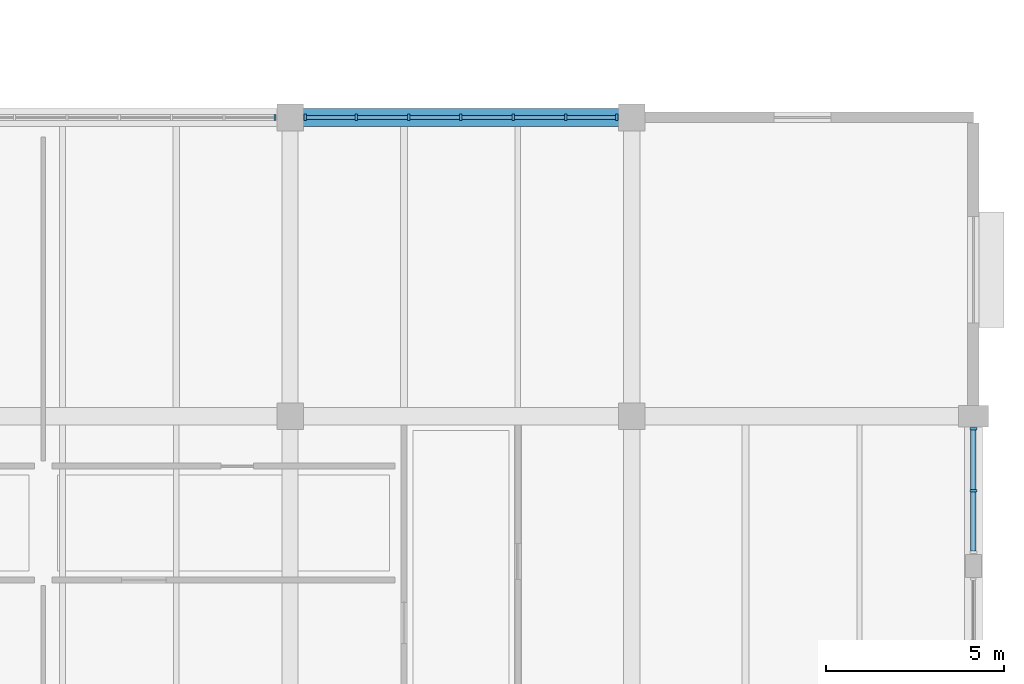
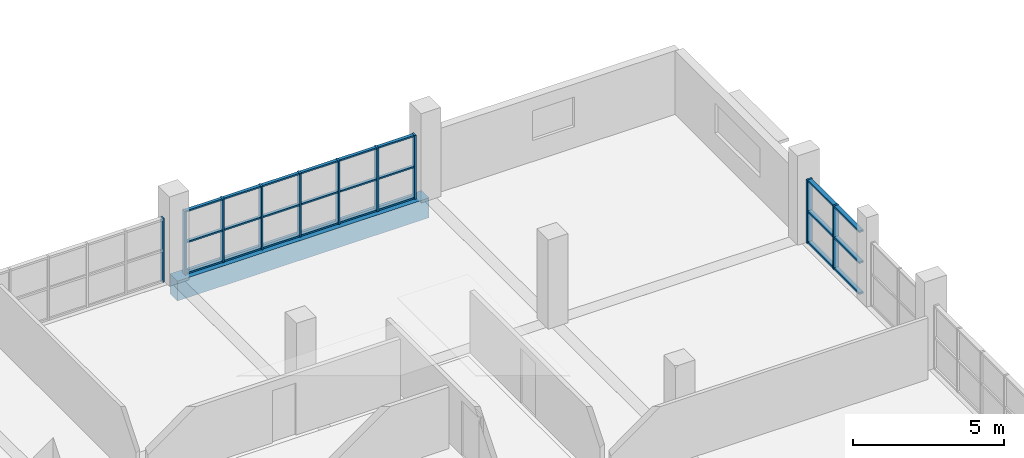
# One storey, part 82 of 147: 34 members, 1 beam, 3 elements without a shape of their own.
"""IFC4 building model written with IfcOpenShell, lengths in metres."""

from ifc_helpers import new_model, si_unit, direction, frame, origin, origin_2d, place, context, subcontext, project, spatial, rectangle, extrude, material, material_profile, profile_set, type_object, element, aggregate, save


model = new_model("IFC4")

# Units and contexts
model_context = context("Model", 3, precision=1e-05, world=origin(), true_north=direction((0.0, 1.0)))
body_context = subcontext(model_context, "Body", "Model", "MODEL_VIEW")
ifc_project = project(units=[si_unit("LENGTHUNIT", "METRE"), si_unit("AREAUNIT", "SQUARE_METRE"), si_unit("VOLUMEUNIT", "CUBIC_METRE"), si_unit("PLANEANGLEUNIT", "RADIAN"), si_unit("MASSUNIT", "GRAM", prefix="KILO")], contexts=[model_context])

# Site, building, storey
site_placement = place(None, origin())
site = spatial("IfcSite", under=ifc_project, at=site_placement, CompositionType="ELEMENT")
building_placement = place(site_placement, origin())
building = spatial("IfcBuilding", under=site, at=building_placement, Name="Oolite Switchyard Hospital", CompositionType="ELEMENT")
storey_placement = place(building_placement, frame((0.0, 0.0, 9.89990234375)))
storey = spatial("IfcBuildingStorey", under=building, at=storey_placement, Name="L02", CompositionType="ELEMENT", Elevation=9.89990234375)

# Beam
ifc_material_1 = material(Name="Concrete C40/50", Category="concrete")
ifc_material_profile_1 = material_profile(ifc_material_1, rectangle(XDim=0.5, YDim=0.800048828125, at=origin_2d()), Name="RCB500X800")
ifc_profile_set_1 = profile_set([ifc_material_profile_1], Name="Concrete C40/50")
beam_type = type_object("IfcBeamType", Name="BM-RC500X800", PredefinedType="BEAM", material=ifc_profile_set_1)
beam_placement = place(storey_placement, frame((192.0, 75.60009765625, -0.39990234375), z_axis=(1.0, 0.0, 0.0), x_axis=(0.0, 1.0, 0.0)))
element("IfcBeam", 1, at=beam_placement, inside=storey, type_object=beam_type, Name="L02 X-Girder 1124", PredefinedType="BEAM", context=body_context, shape_type="SweptSolid", body=[
    extrude(rectangle(XDim=0.5, YDim=0.800048828125, at=origin_2d()), origin(), (0.0, 0.0, 1.0), 9.60009765625),
])

# Curtain wall, member
ifc_material_2 = material(Name="Thermally broken aluminum frame with laminated impact glazing", Category="aluminium")
curtain_wall_type_1 = type_object("IfcCurtainWallType", Name="CW-UNIT-96X36", PredefinedType="USERDEFINED", material=ifc_material_2)
curtain_wall_1_placement = place(storey_placement, origin())
curtain_wall_1 = element("IfcCurtainWall", 2, at=curtain_wall_1_placement, inside=storey, type_object=curtain_wall_type_1, Name="L02 Unitised Curtain Wall 247", ObjectType="UNITISED", PredefinedType="USERDEFINED")
ifc_material_3 = material(Name="Aluminium 6063-T6", Category="aluminium")
ifc_material_profile_2 = material_profile(ifc_material_3, rectangle(XDim=0.159912109375, YDim=0.06005859375, at=origin_2d()), Name="CWM60X160")
ifc_profile_set_2 = profile_set([ifc_material_profile_2], Name="Aluminium 6063-T6")
member_type_1 = type_object("IfcMemberType", Name="CW-MUL-180", PredefinedType="MULLION", material=ifc_profile_set_2)
member_1_placement = place(storey_placement, frame((191.580078125, 75.60009765625, 0.0), z_axis=(0.0, 0.0, 1.0), x_axis=(0.0, 1.0, 0.0)))
member_1 = element("IfcMember", 3, at=member_1_placement, type_object=member_type_1, Name="CW-03 mullion 7", PredefinedType="MULLION", context=body_context, shape_type="SweptSolid", body=[
    extrude(rectangle(XDim=0.159912109375, YDim=0.06005859375, at=origin_2d()), origin(), (0.0, 0.0, 1.0), 2.570068359375),
])
aggregate(curtain_wall_1, [member_1])

# Curtain wall, members
curtain_wall_2_placement = place(storey_placement, origin())
curtain_wall_2 = element("IfcCurtainWall", 4, at=curtain_wall_2_placement, inside=storey, type_object=curtain_wall_type_1, Name="L02 Unitised Curtain Wall 248", ObjectType="UNITISED", PredefinedType="USERDEFINED")
ifc_material_profile_3 = material_profile(ifc_material_3, rectangle(XDim=0.179931640625, YDim=0.070068359375, at=origin_2d()), Name="CWM70X180")
ifc_profile_set_3 = profile_set([ifc_material_profile_3], Name="Aluminium 6063-T6")
member_type_2 = type_object("IfcMemberType", Name="CW-MUL-220", PredefinedType="MULLION", material=ifc_profile_set_3)
member_2_placement = place(storey_placement, frame((192.425048828125, 75.60009765625, 0.0), z_axis=(0.0, 0.0, 1.0), x_axis=(0.0, 1.0, 0.0)))
member_2 = element("IfcMember", 5, at=member_2_placement, type_object=member_type_2, Name="CW-03 mullion 1", PredefinedType="MULLION", context=body_context, shape_type="SweptSolid", body=[
    extrude(rectangle(XDim=0.179931640625, YDim=0.070068359375, at=origin_2d()), origin(), (0.0, 0.0, 1.0), 2.570068359375),
])
member_3_placement = place(storey_placement, frame((193.860107421875, 75.60009765625, 0.0), z_axis=(0.0, 0.0, 1.0), x_axis=(0.0, 1.0, 0.0)))
member_3 = element("IfcMember", 6, at=member_3_placement, type_object=member_type_2, Name="CW-03 mullion 2", PredefinedType="MULLION", context=body_context, shape_type="SweptSolid", body=[
    extrude(rectangle(XDim=0.179931640625, YDim=0.070068359375, at=origin_2d()), origin(), (0.0, 0.0, 1.0), 2.570068359375),
])
member_4_placement = place(storey_placement, frame((195.330078125, 75.60009765625, 0.0), z_axis=(0.0, 0.0, 1.0), x_axis=(0.0, 1.0, 0.0)))
member_4 = element("IfcMember", 7, at=member_4_placement, type_object=member_type_2, Name="CW-03 mullion 3", PredefinedType="MULLION", context=body_context, shape_type="SweptSolid", body=[
    extrude(rectangle(XDim=0.179931640625, YDim=0.070068359375, at=origin_2d()), origin(), (0.0, 0.0, 1.0), 2.570068359375),
])
member_5_placement = place(storey_placement, frame((196.800048828125, 75.60009765625, 0.0), z_axis=(0.0, 0.0, 1.0), x_axis=(0.0, 1.0, 0.0)))
member_5 = element("IfcMember", 8, at=member_5_placement, type_object=member_type_2, Name="CW-03 mullion 4", PredefinedType="MULLION", context=body_context, shape_type="SweptSolid", body=[
    extrude(rectangle(XDim=0.179931640625, YDim=0.070068359375, at=origin_2d()), origin(), (0.0, 0.0, 1.0), 2.570068359375),
])
member_6_placement = place(storey_placement, frame((198.27001953125, 75.60009765625, 0.0), z_axis=(0.0, 0.0, 1.0), x_axis=(0.0, 1.0, 0.0)))
member_6 = element("IfcMember", 9, at=member_6_placement, type_object=member_type_2, Name="CW-03 mullion 5", PredefinedType="MULLION", context=body_context, shape_type="SweptSolid", body=[
    extrude(rectangle(XDim=0.179931640625, YDim=0.070068359375, at=origin_2d()), origin(), (0.0, 0.0, 1.0), 2.570068359375),
])
member_7_placement = place(storey_placement, frame((199.739990234375, 75.60009765625, 0.0), z_axis=(0.0, 0.0, 1.0), x_axis=(0.0, 1.0, 0.0)))
member_7 = element("IfcMember", 10, at=member_7_placement, type_object=member_type_2, Name="CW-03 mullion 6", PredefinedType="MULLION", context=body_context, shape_type="SweptSolid", body=[
    extrude(rectangle(XDim=0.179931640625, YDim=0.070068359375, at=origin_2d()), origin(), (0.0, 0.0, 1.0), 2.570068359375),
])
member_8_placement = place(storey_placement, frame((201.175048828125, 75.60009765625, 0.0), z_axis=(0.0, 0.0, 1.0), x_axis=(0.0, 1.0, 0.0)))
member_8 = element("IfcMember", 11, at=member_8_placement, type_object=member_type_2, Name="CW-03 mullion 7", PredefinedType="MULLION", context=body_context, shape_type="SweptSolid", body=[
    extrude(rectangle(XDim=0.179931640625, YDim=0.070068359375, at=origin_2d()), origin(), (0.0, 0.0, 1.0), 2.570068359375),
])

curtain_wall_type_2 = type_object("IfcCurtainWallType", Name="CW-UNIT-84X36", PredefinedType="USERDEFINED", material=ifc_material_2)
curtain_wall_3_placement = place(storey_placement, origin())
curtain_wall_3 = element("IfcCurtainWall", 12, at=curtain_wall_3_placement, inside=storey, type_object=curtain_wall_type_2, Name="L02 Unitised Curtain Wall 315", ObjectType="UNITISED", PredefinedType="USERDEFINED")
ifc_material_profile_4 = material_profile(ifc_material_3, rectangle(XDim=0.199951171875, YDim=0.074951171875, at=origin_2d()), Name="CWM75X200")
ifc_profile_set_4 = profile_set([ifc_material_profile_4], Name="Aluminium 6063-T6")
member_type_3 = type_object("IfcMemberType", Name="CW-MUL-260", PredefinedType="MULLION", material=ifc_profile_set_4)
member_9_placement = place(storey_placement, frame((211.199951171875, 66.847412109375, 0.0), z_axis=(0.0, 0.0, 1.0), x_axis=(1.0, 0.0, 0.0)))
member_9 = element("IfcMember", 13, at=member_9_placement, type_object=member_type_3, Name="CW-08 mullion 1", PredefinedType="MULLION", context=body_context, shape_type="SweptSolid", body=[
    extrude(rectangle(XDim=0.199951171875, YDim=0.074951171875, at=origin_2d()), origin(), (0.0, 0.0, 1.0), 2.570068359375),
])
member_10_placement = place(storey_placement, frame((211.199951171875, 65.112548828125, 0.0), z_axis=(0.0, 0.0, 1.0), x_axis=(1.0, 0.0, 0.0)))
member_10 = element("IfcMember", 14, at=member_10_placement, type_object=member_type_3, Name="CW-08 mullion 2", PredefinedType="MULLION", context=body_context, shape_type="SweptSolid", body=[
    extrude(rectangle(XDim=0.199951171875, YDim=0.074951171875, at=origin_2d()), origin(), (0.0, 0.0, 1.0), 2.570068359375),
])

# Member
ifc_material_profile_5 = material_profile(ifc_material_3, rectangle(XDim=0.1201171875, YDim=0.06005859375, at=origin_2d()), Name="CWT60X120")
ifc_profile_set_5 = profile_set([ifc_material_profile_5], Name="Aluminium 6063-T6")
member_type_4 = type_object("IfcMemberType", Name="CW-TRN-150", PredefinedType="USERDEFINED", material=ifc_profile_set_5)
member_11_placement = place(storey_placement, frame((192.4599609375, 75.60009765625, 0.030029296875), z_axis=(1.0, 0.0, 0.0), x_axis=(0.0, 1.0, 0.0)))
member_11 = element("IfcMember", 15, at=member_11_placement, type_object=member_type_4, Name="CW-03 transom 1.1", ObjectType="TRANSOM", PredefinedType="USERDEFINED", context=body_context, shape_type="SweptSolid", body=[
    extrude(rectangle(XDim=0.1201171875, YDim=0.06005859375, at=origin_2d()), origin(), (0.0, 0.0, 1.0), 1.364990234375),
])

member_12_placement = place(storey_placement, frame((192.4599609375, 75.60009765625, 1.28515625), z_axis=(1.0, 0.0, 0.0), x_axis=(0.0, 1.0, 0.0)))
member_12 = element("IfcMember", 16, at=member_12_placement, type_object=member_type_4, Name="CW-03 transom 1.2", ObjectType="TRANSOM", PredefinedType="USERDEFINED", context=body_context, shape_type="SweptSolid", body=[
    extrude(rectangle(XDim=0.1201171875, YDim=0.06005859375, at=origin_2d()), origin(), (0.0, 0.0, 1.0), 1.364990234375),
])

member_13_placement = place(storey_placement, frame((192.4599609375, 75.60009765625, 2.5400390625), z_axis=(1.0, 0.0, 0.0), x_axis=(0.0, 1.0, 0.0)))
member_13 = element("IfcMember", 17, at=member_13_placement, type_object=member_type_4, Name="CW-03 transom 1.3", ObjectType="TRANSOM", PredefinedType="USERDEFINED", context=body_context, shape_type="SweptSolid", body=[
    extrude(rectangle(XDim=0.1201171875, YDim=0.06005859375, at=origin_2d()), origin(), (0.0, 0.0, 1.0), 1.364990234375),
])

member_14_placement = place(storey_placement, frame((193.89501953125, 75.60009765625, 0.030029296875), z_axis=(1.0, 0.0, 0.0), x_axis=(0.0, 1.0, 0.0)))
member_14 = element("IfcMember", 18, at=member_14_placement, type_object=member_type_4, Name="CW-03 transom 2.1", ObjectType="TRANSOM", PredefinedType="USERDEFINED", context=body_context, shape_type="SweptSolid", body=[
    extrude(rectangle(XDim=0.1201171875, YDim=0.06005859375, at=origin_2d()), origin(), (0.0, 0.0, 1.0), 1.39990234375),
])

member_15_placement = place(storey_placement, frame((193.89501953125, 75.60009765625, 1.28515625), z_axis=(1.0, 0.0, 0.0), x_axis=(0.0, 1.0, 0.0)))
member_15 = element("IfcMember", 19, at=member_15_placement, type_object=member_type_4, Name="CW-03 transom 2.2", ObjectType="TRANSOM", PredefinedType="USERDEFINED", context=body_context, shape_type="SweptSolid", body=[
    extrude(rectangle(XDim=0.1201171875, YDim=0.06005859375, at=origin_2d()), origin(), (0.0, 0.0, 1.0), 1.39990234375),
])

member_16_placement = place(storey_placement, frame((193.89501953125, 75.60009765625, 2.5400390625), z_axis=(1.0, 0.0, 0.0), x_axis=(0.0, 1.0, 0.0)))
member_16 = element("IfcMember", 20, at=member_16_placement, type_object=member_type_4, Name="CW-03 transom 2.3", ObjectType="TRANSOM", PredefinedType="USERDEFINED", context=body_context, shape_type="SweptSolid", body=[
    extrude(rectangle(XDim=0.1201171875, YDim=0.06005859375, at=origin_2d()), origin(), (0.0, 0.0, 1.0), 1.39990234375),
])

member_17_placement = place(storey_placement, frame((195.364990234375, 75.60009765625, 0.030029296875), z_axis=(1.0, 0.0, 0.0), x_axis=(0.0, 1.0, 0.0)))
member_17 = element("IfcMember", 21, at=member_17_placement, type_object=member_type_4, Name="CW-03 transom 3.1", ObjectType="TRANSOM", PredefinedType="USERDEFINED", context=body_context, shape_type="SweptSolid", body=[
    extrude(rectangle(XDim=0.1201171875, YDim=0.06005859375, at=origin_2d()), origin(), (0.0, 0.0, 1.0), 1.39990234375),
])

member_18_placement = place(storey_placement, frame((195.364990234375, 75.60009765625, 1.28515625), z_axis=(1.0, 0.0, 0.0), x_axis=(0.0, 1.0, 0.0)))
member_18 = element("IfcMember", 22, at=member_18_placement, type_object=member_type_4, Name="CW-03 transom 3.2", ObjectType="TRANSOM", PredefinedType="USERDEFINED", context=body_context, shape_type="SweptSolid", body=[
    extrude(rectangle(XDim=0.1201171875, YDim=0.06005859375, at=origin_2d()), origin(), (0.0, 0.0, 1.0), 1.39990234375),
])

member_19_placement = place(storey_placement, frame((195.364990234375, 75.60009765625, 2.5400390625), z_axis=(1.0, 0.0, 0.0), x_axis=(0.0, 1.0, 0.0)))
member_19 = element("IfcMember", 23, at=member_19_placement, type_object=member_type_4, Name="CW-03 transom 3.3", ObjectType="TRANSOM", PredefinedType="USERDEFINED", context=body_context, shape_type="SweptSolid", body=[
    extrude(rectangle(XDim=0.1201171875, YDim=0.06005859375, at=origin_2d()), origin(), (0.0, 0.0, 1.0), 1.39990234375),
])

member_20_placement = place(storey_placement, frame((196.8349609375, 75.60009765625, 0.030029296875), z_axis=(1.0, 0.0, 0.0), x_axis=(0.0, 1.0, 0.0)))
member_20 = element("IfcMember", 24, at=member_20_placement, type_object=member_type_4, Name="CW-03 transom 4.1", ObjectType="TRANSOM", PredefinedType="USERDEFINED", context=body_context, shape_type="SweptSolid", body=[
    extrude(rectangle(XDim=0.1201171875, YDim=0.06005859375, at=origin_2d()), origin(), (0.0, 0.0, 1.0), 1.400146484375),
])

member_21_placement = place(storey_placement, frame((196.8349609375, 75.60009765625, 1.28515625), z_axis=(1.0, 0.0, 0.0), x_axis=(0.0, 1.0, 0.0)))
member_21 = element("IfcMember", 25, at=member_21_placement, type_object=member_type_4, Name="CW-03 transom 4.2", ObjectType="TRANSOM", PredefinedType="USERDEFINED", context=body_context, shape_type="SweptSolid", body=[
    extrude(rectangle(XDim=0.1201171875, YDim=0.06005859375, at=origin_2d()), origin(), (0.0, 0.0, 1.0), 1.400146484375),
])

member_22_placement = place(storey_placement, frame((196.8349609375, 75.60009765625, 2.5400390625), z_axis=(1.0, 0.0, 0.0), x_axis=(0.0, 1.0, 0.0)))
member_22 = element("IfcMember", 26, at=member_22_placement, type_object=member_type_4, Name="CW-03 transom 4.3", ObjectType="TRANSOM", PredefinedType="USERDEFINED", context=body_context, shape_type="SweptSolid", body=[
    extrude(rectangle(XDim=0.1201171875, YDim=0.06005859375, at=origin_2d()), origin(), (0.0, 0.0, 1.0), 1.400146484375),
])

member_23_placement = place(storey_placement, frame((198.304931640625, 75.60009765625, 0.030029296875), z_axis=(1.0, 0.0, 0.0), x_axis=(0.0, 1.0, 0.0)))
member_23 = element("IfcMember", 27, at=member_23_placement, type_object=member_type_4, Name="CW-03 transom 5.1", ObjectType="TRANSOM", PredefinedType="USERDEFINED", context=body_context, shape_type="SweptSolid", body=[
    extrude(rectangle(XDim=0.1201171875, YDim=0.06005859375, at=origin_2d()), origin(), (0.0, 0.0, 1.0), 1.400146484375),
])

member_24_placement = place(storey_placement, frame((198.304931640625, 75.60009765625, 1.28515625), z_axis=(1.0, 0.0, 0.0), x_axis=(0.0, 1.0, 0.0)))
member_24 = element("IfcMember", 28, at=member_24_placement, type_object=member_type_4, Name="CW-03 transom 5.2", ObjectType="TRANSOM", PredefinedType="USERDEFINED", context=body_context, shape_type="SweptSolid", body=[
    extrude(rectangle(XDim=0.1201171875, YDim=0.06005859375, at=origin_2d()), origin(), (0.0, 0.0, 1.0), 1.400146484375),
])

member_25_placement = place(storey_placement, frame((198.304931640625, 75.60009765625, 2.5400390625), z_axis=(1.0, 0.0, 0.0), x_axis=(0.0, 1.0, 0.0)))
member_25 = element("IfcMember", 29, at=member_25_placement, type_object=member_type_4, Name="CW-03 transom 5.3", ObjectType="TRANSOM", PredefinedType="USERDEFINED", context=body_context, shape_type="SweptSolid", body=[
    extrude(rectangle(XDim=0.1201171875, YDim=0.06005859375, at=origin_2d()), origin(), (0.0, 0.0, 1.0), 1.400146484375),
])

member_26_placement = place(storey_placement, frame((199.77490234375, 75.60009765625, 0.030029296875), z_axis=(1.0, 0.0, 0.0), x_axis=(0.0, 1.0, 0.0)))
member_26 = element("IfcMember", 30, at=member_26_placement, type_object=member_type_4, Name="CW-03 transom 6.1", ObjectType="TRANSOM", PredefinedType="USERDEFINED", context=body_context, shape_type="SweptSolid", body=[
    extrude(rectangle(XDim=0.1201171875, YDim=0.06005859375, at=origin_2d()), origin(), (0.0, 0.0, 1.0), 1.364990234375),
])

member_27_placement = place(storey_placement, frame((199.77490234375, 75.60009765625, 1.28515625), z_axis=(1.0, 0.0, 0.0), x_axis=(0.0, 1.0, 0.0)))
member_27 = element("IfcMember", 31, at=member_27_placement, type_object=member_type_4, Name="CW-03 transom 6.2", ObjectType="TRANSOM", PredefinedType="USERDEFINED", context=body_context, shape_type="SweptSolid", body=[
    extrude(rectangle(XDim=0.1201171875, YDim=0.06005859375, at=origin_2d()), origin(), (0.0, 0.0, 1.0), 1.364990234375),
])

member_28_placement = place(storey_placement, frame((199.77490234375, 75.60009765625, 2.5400390625), z_axis=(1.0, 0.0, 0.0), x_axis=(0.0, 1.0, 0.0)))
member_28 = element("IfcMember", 32, at=member_28_placement, type_object=member_type_4, Name="CW-03 transom 6.3", ObjectType="TRANSOM", PredefinedType="USERDEFINED", context=body_context, shape_type="SweptSolid", body=[
    extrude(rectangle(XDim=0.1201171875, YDim=0.06005859375, at=origin_2d()), origin(), (0.0, 0.0, 1.0), 1.364990234375),
])

aggregate(curtain_wall_2, [member_2, member_3, member_4, member_5, member_6, member_7, member_8, member_11, member_12, member_13, member_14, member_15, member_16, member_17, member_18, member_19, member_20, member_21, member_22, member_23, member_24, member_25, member_26, member_27, member_28])

ifc_material_profile_6 = material_profile(ifc_material_3, rectangle(XDim=0.159912109375, YDim=0.074951171875, at=origin_2d()), Name="CWT75X160")
ifc_profile_set_6 = profile_set([ifc_material_profile_6], Name="Aluminium 6063-T6")
member_type_5 = type_object("IfcMemberType", Name="CW-TRN-180", PredefinedType="USERDEFINED", material=ifc_profile_set_6)
member_29_placement = place(storey_placement, frame((211.199951171875, 66.81005859375, 0.03759765625), z_axis=(0.0, -1.0, 0.0), x_axis=(1.0, 0.0, 0.0)))
member_29 = element("IfcMember", 33, at=member_29_placement, type_object=member_type_5, Name="CW-08 transom 1.1", ObjectType="TRANSOM", PredefinedType="USERDEFINED", context=body_context, shape_type="SweptSolid", body=[
    extrude(rectangle(XDim=0.159912109375, YDim=0.074951171875, at=origin_2d()), origin(), (0.0, 0.0, 1.0), 1.66015625),
])

member_30_placement = place(storey_placement, frame((211.199951171875, 66.81005859375, 1.28515625), z_axis=(0.0, -1.0, 0.0), x_axis=(1.0, 0.0, 0.0)))
member_30 = element("IfcMember", 34, at=member_30_placement, type_object=member_type_5, Name="CW-08 transom 1.2", ObjectType="TRANSOM", PredefinedType="USERDEFINED", context=body_context, shape_type="SweptSolid", body=[
    extrude(rectangle(XDim=0.159912109375, YDim=0.074951171875, at=origin_2d()), origin(), (0.0, 0.0, 1.0), 1.66015625),
])

member_31_placement = place(storey_placement, frame((211.199951171875, 66.81005859375, 2.53271484375), z_axis=(0.0, -1.0, 0.0), x_axis=(1.0, 0.0, 0.0)))
member_31 = element("IfcMember", 35, at=member_31_placement, type_object=member_type_5, Name="CW-08 transom 1.3", ObjectType="TRANSOM", PredefinedType="USERDEFINED", context=body_context, shape_type="SweptSolid", body=[
    extrude(rectangle(XDim=0.159912109375, YDim=0.074951171875, at=origin_2d()), origin(), (0.0, 0.0, 1.0), 1.66015625),
])

member_32_placement = place(storey_placement, frame((211.199951171875, 65.074951171875, 0.03759765625), z_axis=(0.0, -1.0, 0.0), x_axis=(1.0, 0.0, 0.0)))
member_32 = element("IfcMember", 36, at=member_32_placement, type_object=member_type_5, Name="CW-08 transom 2.1", ObjectType="TRANSOM", PredefinedType="USERDEFINED", context=body_context, shape_type="SweptSolid", body=[
    extrude(rectangle(XDim=0.159912109375, YDim=0.074951171875, at=origin_2d()), origin(), (0.0, 0.0, 1.0), 1.659912109375),
])

member_33_placement = place(storey_placement, frame((211.199951171875, 65.074951171875, 1.28515625), z_axis=(0.0, -1.0, 0.0), x_axis=(1.0, 0.0, 0.0)))
member_33 = element("IfcMember", 37, at=member_33_placement, type_object=member_type_5, Name="CW-08 transom 2.2", ObjectType="TRANSOM", PredefinedType="USERDEFINED", context=body_context, shape_type="SweptSolid", body=[
    extrude(rectangle(XDim=0.159912109375, YDim=0.074951171875, at=origin_2d()), origin(), (0.0, 0.0, 1.0), 1.659912109375),
])

member_34_placement = place(storey_placement, frame((211.199951171875, 65.074951171875, 2.53271484375), z_axis=(0.0, -1.0, 0.0), x_axis=(1.0, 0.0, 0.0)))
member_34 = element("IfcMember", 38, at=member_34_placement, type_object=member_type_5, Name="CW-08 transom 2.3", ObjectType="TRANSOM", PredefinedType="USERDEFINED", context=body_context, shape_type="SweptSolid", body=[
    extrude(rectangle(XDim=0.159912109375, YDim=0.074951171875, at=origin_2d()), origin(), (0.0, 0.0, 1.0), 1.659912109375),
])

aggregate(curtain_wall_3, [member_9, member_10, member_29, member_30, member_31, member_32, member_33, member_34])

save(model, "model.ifc")
